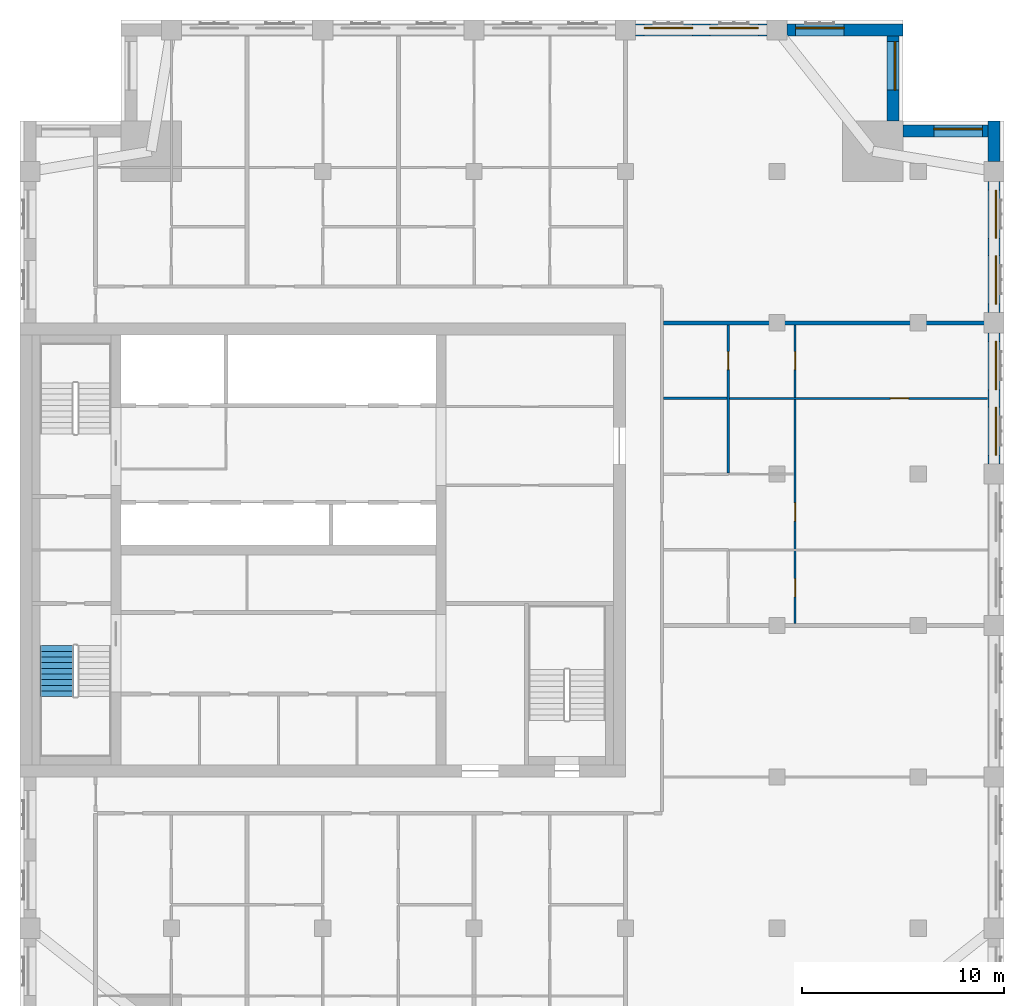
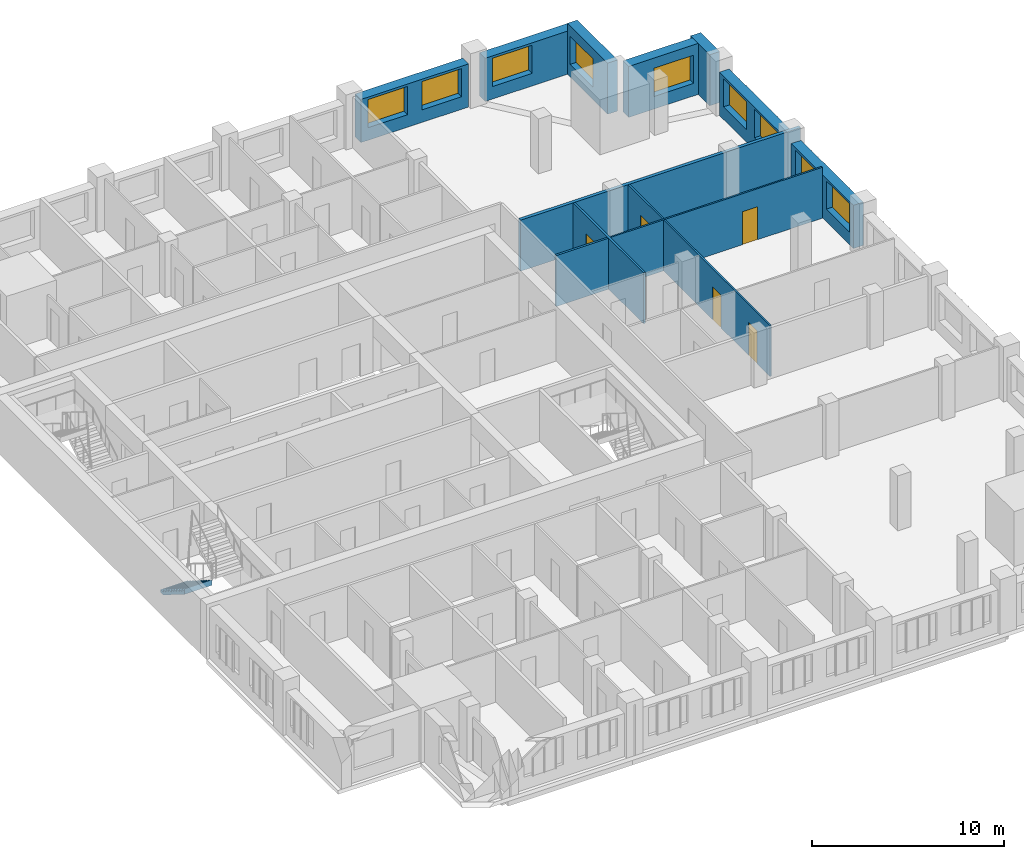
# One storey, part 8 of 11: 12 walls, 9 windows, 5 doors, 1 stair flight, 14 openings, 1 element without a shape of its own.
"""IFC4 building model written with IfcOpenShell, lengths in metres."""

from ifc_helpers import new_model, si_unit, direction, frame, frame_2d, origin, place, context, subcontext, project, spatial, polyline, rectangle, outline, extrude, material, layer, layer_set, type_object, element, fill, aggregate, save


model = new_model("IFC4")

# Units and contexts
model_context = context("Model", 3, precision=1e-05, world=origin(), true_north=direction((0.0, 1.0)))
body_context = subcontext(model_context, "Body", "Model", "MODEL_VIEW")
ifc_project = project(units=[si_unit("LENGTHUNIT", "METRE"), si_unit("AREAUNIT", "SQUARE_METRE"), si_unit("VOLUMEUNIT", "CUBIC_METRE"), si_unit("PLANEANGLEUNIT", "RADIAN"), si_unit("MASSUNIT", "GRAM", prefix="KILO")], contexts=[model_context])

# Site, building, storey
site_placement = place(None, origin())
site = spatial("IfcSite", under=ifc_project, at=site_placement, CompositionType="ELEMENT")
building_placement = place(site_placement, origin())
building = spatial("IfcBuilding", under=site, at=building_placement, Name="Tamorin Gate", CompositionType="ELEMENT")
storey_placement = place(building_placement, frame((0.0, 0.0, 244.199951171875)))
storey = spatial("IfcBuildingStorey", under=building, at=storey_placement, Name="L61", CompositionType="ELEMENT", Elevation=244.199951171875)

# Wall, openings, windows
ifc_material_1 = material(Name="Precast concrete C40/50", Category="concrete")
ifc_layer_1 = layer(ifc_material_1, 0.60009765625)
ifc_layer_set_1 = layer_set([ifc_layer_1], Name="Precast concrete C40/50")
wall_type_1 = type_object("IfcWallType", Name="Board-marked concrete facade panel 600", PredefinedType="SOLIDWALL", material=ifc_layer_set_1)
wall_1_placement = place(storey_placement, frame((78.25, 75.5, 0.0), z_axis=(0.0, 0.0, 1.0), x_axis=(0.0, 1.0, 0.0)))
wall_1 = element("IfcWall", 1, at=wall_1_placement, inside=storey, type_object=wall_type_1, Name="Facade panel", PredefinedType="SOLIDWALL", context=body_context, shape_type="SweptSolid", body=[
    extrude(rectangle(XDim=6.5, YDim=0.60009765625, at=frame_2d((3.25, 0.0))), origin(), (0.0, 0.0, 1.0), 2.75),
])
opening_1_placement = place(wall_1_placement, frame((0.425048828125, 0.0, 0.800048828125)))
opening_1 = element("IfcOpeningElement", 2, at=opening_1_placement, cuts=wall_1, Name="Opening WN1", PredefinedType="OPENING", context=body_context, shape_type="SweptSolid", body=[
    extrude(rectangle(XDim=2.39990234375, YDim=1.800048828125, at=frame_2d((1.199951171875, 0.89990234375))), frame((0.0, 0.31005859375, 0.0), z_axis=(0.0, -1.0, 0.0), x_axis=(1.0, 0.0, 0.0)), (0.0, 0.0, 1.0), 0.6201171875),
])
opening_2_placement = place(wall_1_placement, frame((3.675048828125, 0.0, 0.800048828125)))
opening_2 = element("IfcOpeningElement", 3, at=opening_2_placement, cuts=wall_1, Name="Opening WN1", PredefinedType="OPENING", context=body_context, shape_type="SweptSolid", body=[
    extrude(rectangle(XDim=2.39990234375, YDim=1.800048828125, at=frame_2d((1.199951171875, 0.89990234375))), frame((0.0, 0.31005859375, 0.0), z_axis=(0.0, -1.0, 0.0), x_axis=(1.0, 0.0, 0.0)), (0.0, 0.0, 1.0), 0.6201171875),
])
ifc_material_2 = material(Name="Clear glass in aluminium frame", Category="aluminium")
window_type = type_object("IfcWindowType", Name="Deep-set window 2400x1800", PartitioningType="SINGLE_PANEL", PredefinedType="WINDOW", material=ifc_material_2)
window_1_placement = place(opening_1_placement, origin())
window_1 = element("IfcWindow", 4, at=window_1_placement, inside=storey, type_object=window_type, Name="Deep-set window", OverallHeight=1.800048828125, OverallWidth=2.39990234375, PartitioningType="SINGLE_PANEL", PredefinedType="WINDOW", context=body_context, shape_type="SweptSolid", body=[
    extrude(rectangle(XDim=2.39990234375, YDim=1.800048828125, at=frame_2d((1.199951171875, 0.89990234375))), frame((0.0, -0.070068359375, 0.0), z_axis=(0.0, -1.0, 0.0), x_axis=(1.0, 0.0, 0.0)), (0.0, 0.0, 1.0), 0.06005859375),
])
fill(opening_1, window_1)
window_2_placement = place(opening_2_placement, origin())
window_2 = element("IfcWindow", 5, at=window_2_placement, inside=storey, type_object=window_type, Name="Deep-set window", OverallHeight=1.800048828125, OverallWidth=2.39990234375, PartitioningType="SINGLE_PANEL", PredefinedType="WINDOW", context=body_context, shape_type="SweptSolid", body=[
    extrude(rectangle(XDim=2.39990234375, YDim=1.800048828125, at=frame_2d((1.199951171875, 0.89990234375))), frame((0.0, -0.070068359375, 0.0), z_axis=(0.0, -1.0, 0.0), x_axis=(1.0, 0.0, 0.0)), (0.0, 0.0, 1.0), 0.06005859375),
])
fill(opening_2, window_2)

wall_2_placement = place(storey_placement, frame((78.25, 83.0, 0.0), z_axis=(0.0, 0.0, 1.0), x_axis=(0.0, 1.0, 0.0)))
wall_2 = element("IfcWall", 6, at=wall_2_placement, inside=storey, type_object=wall_type_1, Name="Facade panel", PredefinedType="SOLIDWALL", context=body_context, shape_type="SweptSolid", body=[
    extrude(rectangle(XDim=6.5, YDim=0.60009765625, at=frame_2d((3.25, 0.0))), origin(), (0.0, 0.0, 1.0), 2.75),
])
opening_3_placement = place(wall_2_placement, frame((0.425048828125, 0.0, 0.800048828125)))
opening_3 = element("IfcOpeningElement", 7, at=opening_3_placement, cuts=wall_2, Name="Opening WN1", PredefinedType="OPENING", context=body_context, shape_type="SweptSolid", body=[
    extrude(rectangle(XDim=2.39990234375, YDim=1.800048828125, at=frame_2d((1.199951171875, 0.89990234375))), frame((0.0, 0.31005859375, 0.0), z_axis=(0.0, -1.0, 0.0), x_axis=(1.0, 0.0, 0.0)), (0.0, 0.0, 1.0), 0.6201171875),
])
opening_4_placement = place(wall_2_placement, frame((3.675048828125, 0.0, 0.800048828125)))
opening_4 = element("IfcOpeningElement", 8, at=opening_4_placement, cuts=wall_2, Name="Opening WN1", PredefinedType="OPENING", context=body_context, shape_type="SweptSolid", body=[
    extrude(rectangle(XDim=2.39990234375, YDim=1.800048828125, at=frame_2d((1.199951171875, 0.89990234375))), frame((0.0, 0.31005859375, 0.0), z_axis=(0.0, -1.0, 0.0), x_axis=(1.0, 0.0, 0.0)), (0.0, 0.0, 1.0), 0.6201171875),
])
window_3_placement = place(opening_3_placement, origin())
window_3 = element("IfcWindow", 9, at=window_3_placement, inside=storey, type_object=window_type, Name="Deep-set window", OverallHeight=1.800048828125, OverallWidth=2.39990234375, PartitioningType="SINGLE_PANEL", PredefinedType="WINDOW", context=body_context, shape_type="SweptSolid", body=[
    extrude(rectangle(XDim=2.39990234375, YDim=1.800048828125, at=frame_2d((1.199951171875, 0.89990234375))), frame((0.0, -0.070068359375, 0.0), z_axis=(0.0, -1.0, 0.0), x_axis=(1.0, 0.0, 0.0)), (0.0, 0.0, 1.0), 0.06005859375),
])
fill(opening_3, window_3)
window_4_placement = place(opening_4_placement, origin())
window_4 = element("IfcWindow", 10, at=window_4_placement, inside=storey, type_object=window_type, Name="Deep-set window", OverallHeight=1.800048828125, OverallWidth=2.39990234375, PartitioningType="SINGLE_PANEL", PredefinedType="WINDOW", context=body_context, shape_type="SweptSolid", body=[
    extrude(rectangle(XDim=2.39990234375, YDim=1.800048828125, at=frame_2d((1.199951171875, 0.89990234375))), frame((0.0, -0.070068359375, 0.0), z_axis=(0.0, -1.0, 0.0), x_axis=(1.0, 0.0, 0.0)), (0.0, 0.0, 1.0), 0.06005859375),
])
fill(opening_4, window_4)

# Wall
wall_3_placement = place(storey_placement, frame((78.25, 90.5, 0.0), z_axis=(0.0, 0.0, 1.0), x_axis=(0.0, 1.0, 0.0)))
element("IfcWall", 11, at=wall_3_placement, inside=storey, type_object=wall_type_1, Name="Facade panel", PredefinedType="SOLIDWALL", context=body_context, shape_type="SweptSolid", body=[
    extrude(rectangle(XDim=2.0, YDim=0.60009765625, at=frame_2d((1.0, 0.0))), origin(), (0.0, 0.0, 1.0), 3.25),
])

# Wall, opening, window
wall_4_placement = place(storey_placement, frame((77.949951171875, 92.0, 0.0), z_axis=(0.0, 0.0, 1.0), x_axis=(-1.0, 0.0, 0.0)))
wall_4 = element("IfcWall", 12, at=wall_4_placement, inside=storey, type_object=wall_type_1, Name="Facade panel", PredefinedType="SOLIDWALL", context=body_context, shape_type="SweptSolid", body=[
    extrude(rectangle(XDim=4.199951171875, YDim=0.60009765625, at=frame_2d((2.10009765625, 0.0))), origin(), (0.0, 0.0, 1.0), 3.25),
])
opening_5_placement = place(wall_4_placement, frame((0.27490234375, 0.0, 0.800048828125)))
opening_5 = element("IfcOpeningElement", 13, at=opening_5_placement, cuts=wall_4, Name="Opening WN1", PredefinedType="OPENING", context=body_context, shape_type="SweptSolid", body=[
    extrude(rectangle(XDim=2.39990234375, YDim=1.800048828125, at=frame_2d((1.199951171875, 0.89990234375))), frame((0.0, 0.31005859375, 0.0), z_axis=(0.0, -1.0, 0.0), x_axis=(1.0, 0.0, 0.0)), (0.0, 0.0, 1.0), 0.6201171875),
])
window_5_placement = place(opening_5_placement, origin())
window_5 = element("IfcWindow", 14, at=window_5_placement, inside=storey, type_object=window_type, Name="Deep-set window", OverallHeight=1.800048828125, OverallWidth=2.39990234375, PartitioningType="SINGLE_PANEL", PredefinedType="WINDOW", context=body_context, shape_type="SweptSolid", body=[
    extrude(rectangle(XDim=2.39990234375, YDim=1.800048828125, at=frame_2d((1.199951171875, 0.89990234375))), frame((0.0, -0.070068359375, 0.0), z_axis=(0.0, -1.0, 0.0), x_axis=(1.0, 0.0, 0.0)), (0.0, 0.0, 1.0), 0.06005859375),
])
fill(opening_5, window_5)

wall_5_placement = place(storey_placement, frame((73.25, 92.5, 0.0), z_axis=(0.0, 0.0, 1.0), x_axis=(0.0, 1.0, 0.0)))
wall_5 = element("IfcWall", 15, at=wall_5_placement, inside=storey, type_object=wall_type_1, Name="Facade panel", PredefinedType="SOLIDWALL", context=body_context, shape_type="SweptSolid", body=[
    extrude(rectangle(XDim=4.199951171875, YDim=0.60009765625, at=frame_2d((2.10009765625, 0.0))), origin(), (0.0, 0.0, 1.0), 3.25),
])
opening_6_placement = place(wall_5_placement, frame((1.52490234375, 0.0, 0.800048828125)))
opening_6 = element("IfcOpeningElement", 16, at=opening_6_placement, cuts=wall_5, Name="Opening WN1", PredefinedType="OPENING", context=body_context, shape_type="SweptSolid", body=[
    extrude(rectangle(XDim=2.39990234375, YDim=1.800048828125, at=frame_2d((1.199951171875, 0.89990234375))), frame((0.0, 0.31005859375, 0.0), z_axis=(0.0, -1.0, 0.0), x_axis=(1.0, 0.0, 0.0)), (0.0, 0.0, 1.0), 0.6201171875),
])
window_6_placement = place(opening_6_placement, origin())
window_6 = element("IfcWindow", 17, at=window_6_placement, inside=storey, type_object=window_type, Name="Deep-set window", OverallHeight=1.800048828125, OverallWidth=2.39990234375, PartitioningType="SINGLE_PANEL", PredefinedType="WINDOW", context=body_context, shape_type="SweptSolid", body=[
    extrude(rectangle(XDim=2.39990234375, YDim=1.800048828125, at=frame_2d((1.199951171875, 0.89990234375))), frame((0.0, -0.070068359375, 0.0), z_axis=(0.0, -1.0, 0.0), x_axis=(1.0, 0.0, 0.0)), (0.0, 0.0, 1.0), 0.06005859375),
])
fill(opening_6, window_6)

wall_6_placement = place(storey_placement, frame((73.75, 97.0, 0.0), z_axis=(0.0, 0.0, 1.0), x_axis=(-1.0, 0.0, 0.0)))
wall_6 = element("IfcWall", 18, at=wall_6_placement, inside=storey, type_object=wall_type_1, Name="Facade panel", PredefinedType="SOLIDWALL", context=body_context, shape_type="SweptSolid", body=[
    extrude(rectangle(XDim=5.75, YDim=0.60009765625, at=frame_2d((2.875, 0.0))), origin(), (0.0, 0.0, 1.0), 2.75),
])
opening_7_placement = place(wall_6_placement, frame((2.925048828125, 0.0, 0.800048828125)))
opening_7 = element("IfcOpeningElement", 19, at=opening_7_placement, cuts=wall_6, Name="Opening WN1", PredefinedType="OPENING", context=body_context, shape_type="SweptSolid", body=[
    extrude(rectangle(XDim=2.39990234375, YDim=1.800048828125, at=frame_2d((1.199951171875, 0.89990234375))), frame((0.0, 0.31005859375, 0.0), z_axis=(0.0, -1.0, 0.0), x_axis=(1.0, 0.0, 0.0)), (0.0, 0.0, 1.0), 0.6201171875),
])
window_7_placement = place(opening_7_placement, origin())
window_7 = element("IfcWindow", 20, at=window_7_placement, inside=storey, type_object=window_type, Name="Deep-set window", OverallHeight=1.800048828125, OverallWidth=2.39990234375, PartitioningType="SINGLE_PANEL", PredefinedType="WINDOW", context=body_context, shape_type="SweptSolid", body=[
    extrude(rectangle(XDim=2.39990234375, YDim=1.800048828125, at=frame_2d((1.199951171875, 0.89990234375))), frame((0.0, -0.070068359375, 0.0), z_axis=(0.0, -1.0, 0.0), x_axis=(1.0, 0.0, 0.0)), (0.0, 0.0, 1.0), 0.06005859375),
])
fill(opening_7, window_7)

# Wall, openings, windows
wall_7_placement = place(storey_placement, frame((67.0, 97.0, 0.0), z_axis=(0.0, 0.0, 1.0), x_axis=(-1.0, 0.0, 0.0)))
wall_7 = element("IfcWall", 21, at=wall_7_placement, inside=storey, type_object=wall_type_1, Name="Facade panel", PredefinedType="SOLIDWALL", context=body_context, shape_type="SweptSolid", body=[
    extrude(rectangle(XDim=6.5, YDim=0.60009765625, at=frame_2d((3.25, 0.0))), origin(), (0.0, 0.0, 1.0), 2.75),
])
opening_8_placement = place(wall_7_placement, frame((3.675048828125, 0.0, 0.800048828125)))
opening_8 = element("IfcOpeningElement", 22, at=opening_8_placement, cuts=wall_7, Name="Opening WN1", PredefinedType="OPENING", context=body_context, shape_type="SweptSolid", body=[
    extrude(rectangle(XDim=2.39990234375, YDim=1.800048828125, at=frame_2d((1.199951171875, 0.89990234375))), frame((0.0, 0.31005859375, 0.0), z_axis=(0.0, -1.0, 0.0), x_axis=(1.0, 0.0, 0.0)), (0.0, 0.0, 1.0), 0.6201171875),
])
opening_9_placement = place(wall_7_placement, frame((0.425048828125, 0.0, 0.800048828125)))
opening_9 = element("IfcOpeningElement", 23, at=opening_9_placement, cuts=wall_7, Name="Opening WN1", PredefinedType="OPENING", context=body_context, shape_type="SweptSolid", body=[
    extrude(rectangle(XDim=2.39990234375, YDim=1.800048828125, at=frame_2d((1.199951171875, 0.89990234375))), frame((0.0, 0.31005859375, 0.0), z_axis=(0.0, -1.0, 0.0), x_axis=(1.0, 0.0, 0.0)), (0.0, 0.0, 1.0), 0.6201171875),
])
window_8_placement = place(opening_8_placement, origin())
window_8 = element("IfcWindow", 24, at=window_8_placement, inside=storey, type_object=window_type, Name="Deep-set window", OverallHeight=1.800048828125, OverallWidth=2.39990234375, PartitioningType="SINGLE_PANEL", PredefinedType="WINDOW", context=body_context, shape_type="SweptSolid", body=[
    extrude(rectangle(XDim=2.39990234375, YDim=1.800048828125, at=frame_2d((1.199951171875, 0.89990234375))), frame((0.0, -0.070068359375, 0.0), z_axis=(0.0, -1.0, 0.0), x_axis=(1.0, 0.0, 0.0)), (0.0, 0.0, 1.0), 0.06005859375),
])
fill(opening_8, window_8)
window_9_placement = place(opening_9_placement, origin())
window_9 = element("IfcWindow", 25, at=window_9_placement, inside=storey, type_object=window_type, Name="Deep-set window", OverallHeight=1.800048828125, OverallWidth=2.39990234375, PartitioningType="SINGLE_PANEL", PredefinedType="WINDOW", context=body_context, shape_type="SweptSolid", body=[
    extrude(rectangle(XDim=2.39990234375, YDim=1.800048828125, at=frame_2d((1.199951171875, 0.89990234375))), frame((0.0, -0.070068359375, 0.0), z_axis=(0.0, -1.0, 0.0), x_axis=(1.0, 0.0, 0.0)), (0.0, 0.0, 1.0), 0.06005859375),
])
fill(opening_9, window_9)

# Wall
ifc_material_3 = material(Name="Gypsum board partition")
ifc_layer_2 = layer(ifc_material_3, 0.199951171875)
ifc_layer_set_2 = layer_set([ifc_layer_2], Name="Demising wall 200")
wall_type_2 = type_object("IfcWallType", Name="Demising wall 200", PredefinedType="PARTITIONING", material=ifc_layer_set_2)
wall_8_placement = place(storey_placement, frame((61.875, 82.5, 0.0), z_axis=(0.0, 0.0, 1.0), x_axis=(1.0, 0.0, 0.0)))
element("IfcWall", 26, at=wall_8_placement, inside=storey, type_object=wall_type_2, Name="Demising wall 200", PredefinedType="PARTITIONING", context=body_context, shape_type="SweptSolid", body=[
    extrude(rectangle(XDim=16.875, YDim=0.199951171875, at=frame_2d((8.4375, 0.0))), origin(), (0.0, 0.0, 1.0), 3.25),
])

# Wall, opening, door
ifc_layer_3 = layer(ifc_material_3, 0.10009765625)
ifc_layer_set_3 = layer_set([ifc_layer_3], Name="Room partition 100")
wall_type_3 = type_object("IfcWallType", Name="Room partition 100", PredefinedType="PARTITIONING", material=ifc_layer_set_3)
wall_9_placement = place(storey_placement, frame((65.16259765625, 78.75, 0.0), z_axis=(0.0, 0.0, 1.0), x_axis=(1.0, 0.0, 0.0)))
wall_9 = element("IfcWall", 27, at=wall_9_placement, inside=storey, type_object=wall_type_3, Name="Room partition 100", PredefinedType="PARTITIONING", context=body_context, shape_type="SweptSolid", body=[
    extrude(rectangle(XDim=12.77734375, YDim=0.10009765625, at=frame_2d((6.388671875, 0.0))), origin(), (0.0, 0.0, 1.0), 3.25),
])
opening_10_placement = place(wall_9_placement, frame((7.96240234375, 0.0, 0.0)))
opening_10 = element("IfcOpeningElement", 28, at=opening_10_placement, cuts=wall_9, Name="Opening DR7051", PredefinedType="OPENING", context=body_context, shape_type="SweptSolid", body=[
    extrude(rectangle(XDim=0.89990234375, YDim=2.10009765625, at=frame_2d((0.449951171875, 1.050048828125))), frame((0.0, 0.06005859375, 0.0), z_axis=(0.0, -1.0, 0.0), x_axis=(1.0, 0.0, 0.0)), (0.0, 0.0, 1.0), 0.1201171875),
])
ifc_material_4 = material(Name="Timber door leaf", Category="wood")
door_type = type_object("IfcDoorType", Name="Door 900 x 2100", OperationType="NOTDEFINED", PredefinedType="DOOR", material=ifc_material_4)
door_1_placement = place(opening_10_placement, origin())
door_1 = element("IfcDoor", 29, at=door_1_placement, inside=storey, type_object=door_type, Name="Door DR7051", OperationType="SINGLE_SWING_LEFT", OverallHeight=2.10009765625, OverallWidth=0.89990234375, PredefinedType="DOOR", context=body_context, shape_type="SweptSolid", body=[
    extrude(rectangle(XDim=0.89990234375, YDim=2.10009765625, at=frame_2d((0.449951171875, 1.050048828125))), frame((0.0, 0.02490234375, 0.0), z_axis=(0.0, -1.0, 0.0), x_axis=(1.0, 0.0, 0.0)), (0.0, 0.0, 1.0), 0.050048828125),
])
fill(opening_10, door_1)

# Wall, openings, doors
wall_10_placement = place(storey_placement, frame((68.39990234375, 67.60009765625, 0.0), z_axis=(0.0, 0.0, 1.0), x_axis=(0.0, 1.0, 0.0)))
wall_10 = element("IfcWall", 30, at=wall_10_placement, inside=storey, type_object=wall_type_3, Name="Room partition 100", PredefinedType="PARTITIONING", context=body_context, shape_type="SweptSolid", body=[
    extrude(rectangle(XDim=14.7998046875, YDim=0.10009765625, at=frame_2d((7.39990234375, 0.0))), origin(), (0.0, 0.0, 1.0), 3.25),
])
opening_11_placement = place(wall_10_placement, frame((1.324951171875, 0.0, 0.0)))
opening_11 = element("IfcOpeningElement", 31, at=opening_11_placement, cuts=wall_10, Name="Opening DR7042", PredefinedType="OPENING", context=body_context, shape_type="SweptSolid", body=[
    extrude(rectangle(XDim=0.89990234375, YDim=2.10009765625, at=frame_2d((0.449951171875, 1.050048828125))), frame((0.0, 0.06005859375, 0.0), z_axis=(0.0, -1.0, 0.0), x_axis=(1.0, 0.0, 0.0)), (0.0, 0.0, 1.0), 0.1201171875),
])
opening_12_placement = place(wall_10_placement, frame((5.074951171875, 0.0, 0.0)))
opening_12 = element("IfcOpeningElement", 32, at=opening_12_placement, cuts=wall_10, Name="Opening DR7045", PredefinedType="OPENING", context=body_context, shape_type="SweptSolid", body=[
    extrude(rectangle(XDim=0.89990234375, YDim=2.10009765625, at=frame_2d((0.449951171875, 1.050048828125))), frame((0.0, 0.06005859375, 0.0), z_axis=(0.0, -1.0, 0.0), x_axis=(1.0, 0.0, 0.0)), (0.0, 0.0, 1.0), 0.1201171875),
])
opening_13_placement = place(wall_10_placement, frame((12.574951171875, 0.0, 0.0)))
opening_13 = element("IfcOpeningElement", 33, at=opening_13_placement, cuts=wall_10, Name="Opening DR7048", PredefinedType="OPENING", context=body_context, shape_type="SweptSolid", body=[
    extrude(rectangle(XDim=0.89990234375, YDim=2.10009765625, at=frame_2d((0.449951171875, 1.050048828125))), frame((0.0, 0.06005859375, 0.0), z_axis=(0.0, -1.0, 0.0), x_axis=(1.0, 0.0, 0.0)), (0.0, 0.0, 1.0), 0.1201171875),
])
door_2_placement = place(opening_11_placement, origin())
door_2 = element("IfcDoor", 34, at=door_2_placement, inside=storey, type_object=door_type, Name="Door DR7042", OperationType="SINGLE_SWING_LEFT", OverallHeight=2.10009765625, OverallWidth=0.89990234375, PredefinedType="DOOR", context=body_context, shape_type="SweptSolid", body=[
    extrude(rectangle(XDim=0.89990234375, YDim=2.10009765625, at=frame_2d((0.449951171875, 1.050048828125))), frame((0.0, 0.02490234375, 0.0), z_axis=(0.0, -1.0, 0.0), x_axis=(1.0, 0.0, 0.0)), (0.0, 0.0, 1.0), 0.050048828125),
])
fill(opening_11, door_2)
door_3_placement = place(opening_12_placement, origin())
door_3 = element("IfcDoor", 35, at=door_3_placement, inside=storey, type_object=door_type, Name="Door DR7045", OperationType="SINGLE_SWING_LEFT", OverallHeight=2.10009765625, OverallWidth=0.89990234375, PredefinedType="DOOR", context=body_context, shape_type="SweptSolid", body=[
    extrude(rectangle(XDim=0.89990234375, YDim=2.10009765625, at=frame_2d((0.449951171875, 1.050048828125))), frame((0.0, 0.02490234375, 0.0), z_axis=(0.0, -1.0, 0.0), x_axis=(1.0, 0.0, 0.0)), (0.0, 0.0, 1.0), 0.050048828125),
])
fill(opening_12, door_3)
door_4_placement = place(opening_13_placement, origin())
door_4 = element("IfcDoor", 36, at=door_4_placement, inside=storey, type_object=door_type, Name="Door DR7048", OperationType="SINGLE_SWING_LEFT", OverallHeight=2.10009765625, OverallWidth=0.89990234375, PredefinedType="DOOR", context=body_context, shape_type="SweptSolid", body=[
    extrude(rectangle(XDim=0.89990234375, YDim=2.10009765625, at=frame_2d((0.449951171875, 1.050048828125))), frame((0.0, 0.02490234375, 0.0), z_axis=(0.0, -1.0, 0.0), x_axis=(1.0, 0.0, 0.0)), (0.0, 0.0, 1.0), 0.050048828125),
])
fill(opening_13, door_4)

# Wall
ifc_layer_4 = layer(ifc_material_3, 0.125)
ifc_layer_set_4 = layer_set([ifc_layer_4], Name="Wet wall 125")
wall_type_4 = type_object("IfcWallType", Name="Wet wall 125", PredefinedType="PARTITIONING", material=ifc_layer_set_4)
wall_11_placement = place(storey_placement, frame((61.875, 78.75, 0.0), z_axis=(0.0, 0.0, 1.0), x_axis=(1.0, 0.0, 0.0)))
element("IfcWall", 37, at=wall_11_placement, inside=storey, type_object=wall_type_4, Name="Wet wall 125", PredefinedType="PARTITIONING", context=body_context, shape_type="SweptSolid", body=[
    extrude(rectangle(XDim=3.16259765625, YDim=0.125, at=frame_2d((1.581298828125, 0.0))), origin(), (0.0, 0.0, 1.0), 3.25),
])

# Wall, opening, door
wall_12_placement = place(storey_placement, frame((65.10009765625, 75.0625, 0.0), z_axis=(0.0, 0.0, 1.0), x_axis=(0.0, 1.0, 0.0)))
wall_12 = element("IfcWall", 38, at=wall_12_placement, inside=storey, type_object=wall_type_4, Name="Wet wall 125", PredefinedType="PARTITIONING", context=body_context, shape_type="SweptSolid", body=[
    extrude(rectangle(XDim=7.33740234375, YDim=0.125, at=frame_2d((3.668701171875, 0.0))), origin(), (0.0, 0.0, 1.0), 3.25),
])
opening_14_placement = place(wall_12_placement, frame((5.112548828125, 0.0, 0.0)))
opening_14 = element("IfcOpeningElement", 39, at=opening_14_placement, cuts=wall_12, Name="Opening DR7049", PredefinedType="OPENING", context=body_context, shape_type="SweptSolid", body=[
    extrude(rectangle(XDim=0.89990234375, YDim=2.10009765625, at=frame_2d((0.449951171875, 1.050048828125))), frame((0.0, 0.072509765625, 0.0), z_axis=(0.0, -1.0, 0.0), x_axis=(1.0, 0.0, 0.0)), (0.0, 0.0, 1.0), 0.14501953125),
])
door_5_placement = place(opening_14_placement, origin())
door_5 = element("IfcDoor", 40, at=door_5_placement, inside=storey, type_object=door_type, Name="Door DR7049", OperationType="SINGLE_SWING_LEFT", OverallHeight=2.10009765625, OverallWidth=0.89990234375, PredefinedType="DOOR", context=body_context, shape_type="SweptSolid", body=[
    extrude(rectangle(XDim=0.89990234375, YDim=2.10009765625, at=frame_2d((0.449951171875, 1.050048828125))), frame((0.0, 0.02490234375, 0.0), z_axis=(0.0, -1.0, 0.0), x_axis=(1.0, 0.0, 0.0)), (0.0, 0.0, 1.0), 0.050048828125),
])
fill(opening_14, door_5)

# Stair, stair flight
ifc_material_5 = material(Name="Concrete C40/50", Category="concrete")
stair_type = type_object("IfcStairType", Name="Exit stair", PredefinedType="HALF_TURN_STAIR", material=ifc_material_5)
stair_placement = place(storey_placement, origin())
stair = element("IfcStair", 41, at=stair_placement, inside=storey, type_object=stair_type, Name="L61 stair ST1", PredefinedType="HALF_TURN_STAIR")
stair_flight_type = type_object("IfcStairFlightType", Name="Exit stair flight", PredefinedType="STRAIGHT", material=ifc_material_5)
stair_flight_placement = place(storey_placement, frame((31.824951171875, 66.5, 0.0), z_axis=(0.0, 0.0, 1.0), x_axis=(0.0, -1.0, 0.0)))
stair_flight = element("IfcStairFlight", 42, at=stair_flight_placement, type_object=stair_flight_type, Name="ST1 flight 1", NumberOfRisers=10, NumberOfTreads=9, PredefinedType="STRAIGHT", RiserHeight=0.175, TreadLength=0.28, context=body_context, shape_type="SweptSolid", body=[
    extrude(outline(polyline([(-0.00048828125, 0.0), (-0.00048828125, 0.001708984375), (-0.00048828125, 0.00341796875), (-0.00048828125, 0.005126953125), (-0.00048828125, 0.0068359375), (-0.00048828125, 0.008544921875), (-0.00048828125, 0.010498046875), (-0.00048828125, 0.01220703125), (-0.00048828125, 0.013916015625), (-0.00048828125, 0.015625), (-0.00048828125, 0.017333984375), (-0.00048828125, 0.01904296875), (-0.00048828125, 0.020751953125), (-0.00048828125, 0.0224609375), (-0.00048828125, 0.024169921875), (-0.00048828125, 0.02587890625), (-0.00048828125, 0.02783203125), (-0.00048828125, 0.029541015625), (-0.00048828125, 0.03125), (-0.00048828125, 0.032958984375), (-0.00048828125, 0.03466796875), (-0.00048828125, 0.036376953125), (-0.00048828125, 0.0380859375), (-0.00048828125, 0.039794921875), (-0.00048828125, 0.04150390625), (-0.00048828125, 0.043212890625), (-0.00048828125, 0.045166015625), (-0.00048828125, 0.046875), (-0.00048828125, 0.048583984375), (-0.00048828125, 0.05029296875), (-0.00048828125, 0.052001953125), (-0.00048828125, 0.0537109375), (-0.00048828125, 0.055419921875), (-0.00048828125, 0.05712890625), (-0.00048828125, 0.058837890625), (-0.00048828125, 0.060546875), (-0.00048828125, 0.062255859375), (-0.00048828125, 0.064208984375), (-0.00048828125, 0.06591796875), (-0.00048828125, 0.067626953125), (-0.00048828125, 0.0693359375), (-0.00048828125, 0.071044921875), (-0.00048828125, 0.07275390625), (-0.00048828125, 0.074462890625), (-0.00048828125, 0.076171875), (-0.00048828125, 0.077880859375), (-0.00048828125, 0.07958984375), (-0.00048828125, 0.08154296875), (-0.00048828125, 0.083251953125), (-0.00048828125, 0.0849609375), (-0.00048828125, 0.086669921875), (-0.00048828125, 0.08837890625), (-0.00048828125, 0.090087890625), (-0.00048828125, 0.091796875), (-0.00048828125, 0.093505859375), (-0.00048828125, 0.09521484375), (-0.00048828125, 0.096923828125), (-0.00048828125, 0.098876953125), (-0.00048828125, 0.1005859375), (-0.00048828125, 0.102294921875), (-0.00048828125, 0.10400390625), (-0.00048828125, 0.105712890625), (-0.00048828125, 0.107421875), (-0.00048828125, 0.109130859375), (-0.00048828125, 0.11083984375), (-0.00048828125, 0.112548828125), (-0.00048828125, 0.1142578125), (-0.00048828125, 0.1162109375), (-0.00048828125, 0.117919921875), (-0.00048828125, 0.11962890625), (-0.00048828125, 0.121337890625), (-0.00048828125, 0.123046875), (-0.00048828125, 0.124755859375), (-0.00048828125, 0.12646484375), (-0.00048828125, 0.128173828125), (-0.00048828125, 0.1298828125), (-0.00048828125, 0.131591796875), (-0.00048828125, 0.13330078125), (-0.00048828125, 0.13525390625), (-0.00048828125, 0.136962890625), (-0.00048828125, 0.138671875), (-0.00048828125, 0.140380859375), (-0.00048828125, 0.14208984375), (-0.00048828125, 0.143798828125), (-0.00048828125, 0.1455078125), (-0.00048828125, 0.147216796875), (-0.00048828125, 0.14892578125), (-0.00048828125, 0.150634765625), (-0.00048828125, 0.152587890625), (-0.00048828125, 0.154296875), (-0.00048828125, 0.156005859375), (-0.00048828125, 0.15771484375), (-0.00048828125, 0.159423828125), (-0.00048828125, 0.1611328125), (-0.00048828125, 0.162841796875), (-0.00048828125, 0.16455078125), (-0.00048828125, 0.166259765625), (-0.00048828125, 0.16796875), (-0.00048828125, 0.169921875), (-0.00048828125, 0.171630859375), (-0.00048828125, 0.17333984375), (-0.00048828125, 0.175048828125), (0.280029296875, 0.175048828125), (0.280029296875, 0.35009765625), (0.56005859375, 0.35009765625), (0.56005859375, 0.52490234375), (0.840087890625, 0.52490234375), (0.840087890625, 0.699951171875), (1.1201171875, 0.699951171875), (1.1201171875, 0.875), (1.39990234375, 0.875), (1.39990234375, 1.050048828125), (1.679931640625, 1.050048828125), (1.679931640625, 1.22509765625), (1.9599609375, 1.22509765625), (1.9599609375, 1.39990234375), (2.239990234375, 1.39990234375), (2.239990234375, 1.574951171875), (2.52001953125, 1.574951171875), (2.52001953125, 1.75), (2.5205078125, 1.75), (2.5205078125, 1.74658203125), (2.5205078125, 1.742919921875), (2.5205078125, 1.739501953125), (2.5205078125, 1.736083984375), (2.5205078125, 1.732666015625), (2.5205078125, 1.72900390625), (2.5205078125, 1.7255859375), (2.5205078125, 1.72216796875), (2.5205078125, 1.71875), (2.5205078125, 1.715087890625), (2.5205078125, 1.711669921875), (2.5205078125, 1.708251953125), (2.5205078125, 1.704833984375), (2.5205078125, 1.701171875), (2.5205078125, 1.69775390625), (2.5205078125, 1.6943359375), (2.5205078125, 1.690673828125), (2.5205078125, 1.687255859375), (2.5205078125, 1.683837890625), (2.5205078125, 1.680419921875), (2.5205078125, 1.6767578125), (2.5205078125, 1.67333984375), (2.5205078125, 1.669921875), (2.5205078125, 1.66650390625), (2.5205078125, 1.662841796875), (2.5205078125, 1.659423828125), (2.5205078125, 1.656005859375), (2.5205078125, 1.652587890625), (2.5205078125, 1.64892578125), (2.5205078125, 1.6455078125), (2.5205078125, 1.64208984375), (2.5205078125, 1.638427734375), (2.5205078125, 1.635009765625), (2.5205078125, 1.631591796875), (2.5205078125, 1.628173828125), (2.5205078125, 1.62451171875), (2.5205078125, 1.62109375), (2.5205078125, 1.61767578125), (2.5205078125, 1.6142578125), (2.5205078125, 1.610595703125), (2.5205078125, 1.607177734375), (2.5205078125, 1.603759765625), (2.5205078125, 1.600341796875), (2.5205078125, 1.5966796875), (2.5205078125, 1.59326171875), (2.5205078125, 1.58984375), (2.5205078125, 1.58642578125), (2.5205078125, 1.582763671875), (2.5205078125, 1.579345703125), (2.5205078125, 1.575927734375), (2.5205078125, 1.572265625), (2.5205078125, 1.56884765625), (2.5205078125, 1.5654296875), (2.5205078125, 1.56201171875), (2.5205078125, 1.558349609375), (2.5205078125, 1.554931640625), (2.5205078125, 1.551513671875), (2.5205078125, 1.548095703125), (2.5205078125, 1.54443359375), (2.5205078125, 1.541015625), (2.5205078125, 1.53759765625), (2.5205078125, 1.5341796875), (2.5205078125, 1.530517578125), (2.5205078125, 1.527099609375), (2.5205078125, 1.523681640625), (2.5205078125, 1.52001953125), (2.5205078125, 1.5166015625), (2.5205078125, 1.51318359375), (2.5205078125, 1.509765625), (2.5205078125, 1.506103515625), (2.5205078125, 1.502685546875), (2.5205078125, 1.499267578125), (2.5205078125, 1.495849609375), (2.5205078125, 1.4921875), (2.5205078125, 1.48876953125), (2.5205078125, 1.4853515625), (2.5205078125, 1.48193359375), (2.5205078125, 1.478271484375), (2.5205078125, 1.474853515625), (2.5205078125, 1.471435546875), (2.5205078125, 1.4677734375), (2.5205078125, 1.46435546875), (2.5205078125, 1.4609375), (2.5205078125, 1.45751953125), (2.5205078125, 1.453857421875), (2.5205078125, 1.450439453125), (2.5205078125, 1.447021484375), (2.5205078125, 1.443603515625), (2.5205078125, 1.43994140625), (2.5205078125, 1.4365234375), (2.5205078125, 1.43310546875), (2.5205078125, 1.4296875), (2.5205078125, 1.426025390625), (2.5205078125, 1.422607421875), (2.5205078125, 1.419189453125), (2.5205078125, 1.41552734375), (2.5205078125, 1.412109375), (2.5205078125, 1.40869140625), (2.5205078125, 1.4052734375), (2.5205078125, 1.401611328125), (2.5205078125, 1.398193359375), (2.52001953125, 1.398193359375), (0.28271484375, 0.0), (-0.00048828125, 0.0)])), frame((0.0, 0.824951171875, 0.0), z_axis=(0.0, -1.0, 0.0), x_axis=(1.0, 0.0, 0.0)), (0.0, 0.0, 1.0), 1.64990234375),
])
aggregate(stair, [stair_flight])

save(model, "model.ifc")
